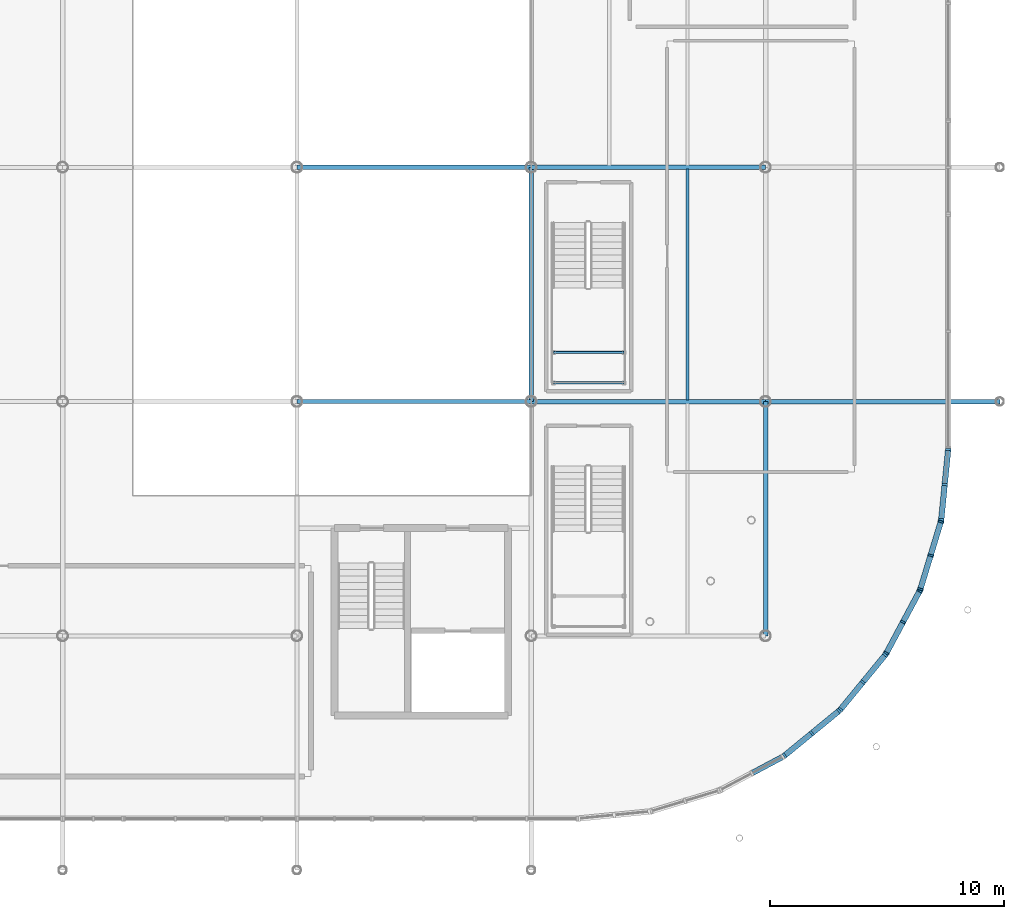
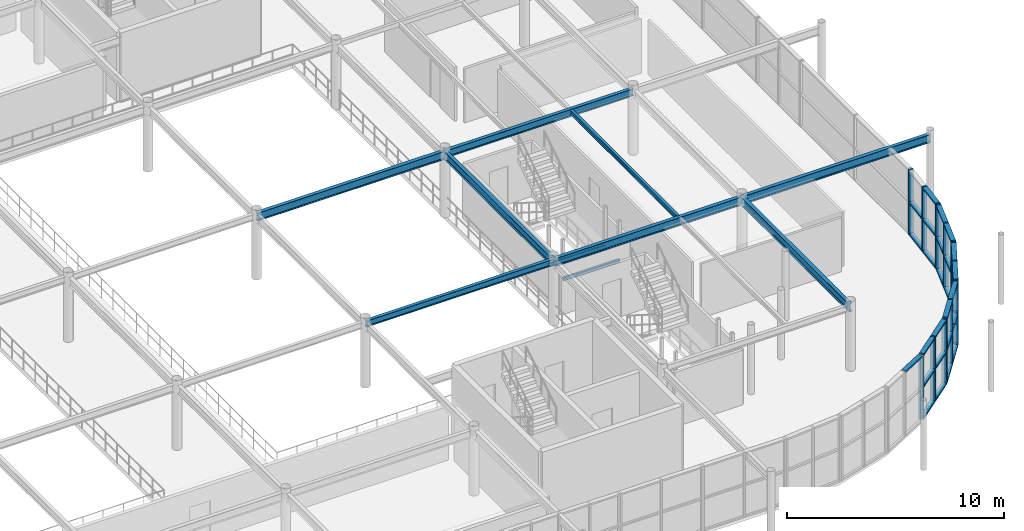
# One storey, part 59 of 98: 45 members, 10 beams, 6 elements without a shape of their own.
"""IFC4 building model written with IfcOpenShell, lengths in metres."""

from ifc_helpers import new_model, si_unit, derived_unit, direction, frame, origin, origin_2d_with_axis, place, context, subcontext, project, spatial, rectangle, hollow_rectangle, i_section, extrude, material, material_profile, profile_set, type_object, element, aggregate, save


model = new_model("IFC4")

# Units and contexts
model_context = context("Model", 3, precision=1e-05, world=origin(), true_north=direction((0.0, 1.0)))
body_context = subcontext(model_context, "Body", "Model", "MODEL_VIEW")
ifc_project = project(units=[si_unit("LENGTHUNIT", "METRE"), si_unit("AREAUNIT", "SQUARE_METRE"), si_unit("VOLUMEUNIT", "CUBIC_METRE"), si_unit("PLANEANGLEUNIT", "RADIAN"), si_unit("MASSUNIT", "GRAM", prefix="KILO"), derived_unit("THERMALTRANSMITTANCEUNIT", [(si_unit("POWERUNIT", "WATT"), 1), (si_unit("LENGTHUNIT", "METRE"), -2), (si_unit("THERMODYNAMICTEMPERATUREUNIT", "KELVIN"), -1)])], contexts=[model_context])

# Site, building, storey
site_placement = place(None, origin())
site = spatial("IfcSite", under=ifc_project, at=site_placement, CompositionType="ELEMENT")
building_placement = place(site_placement, origin())
building = spatial("IfcBuilding", under=site, at=building_placement, Name="Cinnabar Yard Market Hall", CompositionType="ELEMENT")
storey_placement = place(building_placement, frame((0.0, 0.0, 4.5)))
storey = spatial("IfcBuildingStorey", under=building, at=storey_placement, Name="L01", CompositionType="ELEMENT", Elevation=4.5)

# Beams
ifc_material_1 = material(Name="Steel Grade 300 (300 MPa)", Category="steel")
ifc_material_profile_1 = material_profile(ifc_material_1, i_section(OverallWidth=0.18994140625, OverallDepth=0.453857421875, WebThickness=0.008544921875, FlangeThickness=0.0126953125, FilletRadius=0.011474609375, at=origin_2d_with_axis()), Name="460UB67.1")
ifc_profile_set_1 = profile_set([ifc_material_profile_1], Name="Steel Grade 300 (300 MPa)")
beam_type_1 = type_object("IfcBeamType", Name="BM-B05", PredefinedType="BEAM", material=ifc_profile_set_1)
for number, where, z_axis, x_axis, name in (
    (1, (146.0, 34.0, 3.423095703125), (0.0, 1.0, 0.0), (-1.0, 0.0, 0.0), "L01 Gallery Girder Y 00344"),
    (2, (156.0, 24.0, 3.423095703125), (0.0, 1.0, 0.0), (-1.0, 0.0, 0.0), "L01 Gallery Girder Y 00352"),
):
    element("IfcBeam", number, at=place(storey_placement, frame(where, z_axis=z_axis, x_axis=x_axis)), inside=storey, type_object=beam_type_1, Name=name, PredefinedType="BEAM", context=body_context, shape_type="SweptSolid", body=[
        extrude(i_section(OverallWidth=0.18994140625, OverallDepth=0.453857421875, WebThickness=0.008544921875, FlangeThickness=0.0126953125, FilletRadius=0.011474609375, at=origin_2d_with_axis()), origin(), (0.0, 0.0, 1.0), 10.0),
    ])
ifc_material_profile_2 = material_profile(ifc_material_1, i_section(OverallWidth=0.18994140625, OverallDepth=0.453857421875, WebThickness=0.008544921875, FlangeThickness=0.0126953125, FilletRadius=0.011474609375, at=origin_2d_with_axis()), Name="460UB67.1")
ifc_profile_set_2 = profile_set([ifc_material_profile_2], Name="Steel Grade 300 (300 MPa)")
beam_type_2 = type_object("IfcBeamType", Name="BM-B05E", PredefinedType="BEAM", material=ifc_profile_set_2)
beam_1_placement = place(storey_placement, frame((156.0, 34.0, 3.423095703125), z_axis=(1.0, 0.0, 0.0), x_axis=(0.0, 1.0, 0.0)))
element("IfcBeam", 3, at=beam_1_placement, inside=storey, type_object=beam_type_2, Name="L01 Gallery East Tie 00302", PredefinedType="BEAM", context=body_context, shape_type="SweptSolid", body=[
    extrude(i_section(OverallWidth=0.18994140625, OverallDepth=0.453857421875, WebThickness=0.008544921875, FlangeThickness=0.0126953125, FilletRadius=0.011474609375, at=origin_2d_with_axis()), origin(), (0.0, 0.0, 1.0), 10.0),
])
ifc_material_profile_3 = material_profile(ifc_material_1, i_section(OverallWidth=0.1708984375, OverallDepth=0.35205078125, WebThickness=0.0068359375, FlangeThickness=0.009765625, FilletRadius=0.011474609375, at=origin_2d_with_axis()), Name="360UB44.7")
ifc_profile_set_3 = profile_set([ifc_material_profile_3], Name="Steel Grade 300 (300 MPa)")
beam_type_3 = type_object("IfcBeamType", Name="BM-B11", PredefinedType="BEAM", material=ifc_profile_set_3)
beam_2_placement = place(storey_placement, frame((136.0, 34.0, 3.47412109375), z_axis=(1.0, 0.0, 0.0), x_axis=(0.0, 1.0, 0.0)))
element("IfcBeam", 4, at=beam_2_placement, inside=storey, type_object=beam_type_3, Name="L01 Gallery Girder X 00279", PredefinedType="BEAM", context=body_context, shape_type="SweptSolid", body=[
    extrude(i_section(OverallWidth=0.1708984375, OverallDepth=0.35205078125, WebThickness=0.0068359375, FlangeThickness=0.009765625, FilletRadius=0.011474609375, at=origin_2d_with_axis()), origin(), (0.0, 0.0, 1.0), 10.0),
])
ifc_material_profile_4 = material_profile(ifc_material_1, i_section(OverallWidth=0.18994140625, OverallDepth=0.453857421875, WebThickness=0.008544921875, FlangeThickness=0.0126953125, FilletRadius=0.011474609375, at=origin_2d_with_axis()), Name="460UB67.1")
ifc_profile_set_4 = profile_set([ifc_material_profile_4], Name="Steel Grade 300 (300 MPa)")
beam_type_4 = type_object("IfcBeamType", Name="BM-B14", PredefinedType="BEAM", material=ifc_profile_set_4)
for number, where, z_axis, x_axis, name in (
    (5, (136.0, 44.0, 3.423095703125), (1.0, 0.0, 0.0), (0.0, 1.0, 0.0), "L01 Gallery Girder X 00280"),
    (6, (146.0, 34.0, 3.423095703125), (1.0, 0.0, 0.0), (0.0, 1.0, 0.0), "L01 Gallery Girder X 00283"),
):
    element("IfcBeam", number, at=place(storey_placement, frame(where, z_axis=z_axis, x_axis=x_axis)), inside=storey, type_object=beam_type_4, Name=name, PredefinedType="BEAM", context=body_context, shape_type="SweptSolid", body=[
        extrude(i_section(OverallWidth=0.18994140625, OverallDepth=0.453857421875, WebThickness=0.008544921875, FlangeThickness=0.0126953125, FilletRadius=0.011474609375, at=origin_2d_with_axis()), origin(), (0.0, 0.0, 1.0), 10.0),
    ])
ifc_material_profile_5 = material_profile(ifc_material_1, i_section(OverallWidth=0.177978515625, OverallDepth=0.402587890625, WebThickness=0.007568359375, FlangeThickness=0.010986328125, FilletRadius=0.011474609375, at=origin_2d_with_axis()), Name="410UB53.7")
ifc_profile_set_5 = profile_set([ifc_material_profile_5], Name="Steel Grade 300 (300 MPa)")
beam_type_5 = type_object("IfcBeamType", Name="BM-B15", PredefinedType="BEAM", material=ifc_profile_set_5)
beam_3_placement = place(storey_placement, frame((146.0, 44.0, 3.44873046875), z_axis=(1.0, 0.0, 0.0), x_axis=(0.0, 1.0, 0.0)))
element("IfcBeam", 7, at=beam_3_placement, inside=storey, type_object=beam_type_5, Name="L01 Gallery Girder X 00284", PredefinedType="BEAM", context=body_context, shape_type="SweptSolid", body=[
    extrude(i_section(OverallWidth=0.177978515625, OverallDepth=0.402587890625, WebThickness=0.007568359375, FlangeThickness=0.010986328125, FilletRadius=0.011474609375, at=origin_2d_with_axis()), origin(), (0.0, 0.0, 1.0), 10.0),
])
ifc_material_profile_6 = material_profile(ifc_material_1, i_section(OverallWidth=0.14599609375, OverallDepth=0.256103515625, WebThickness=0.00634765625, FlangeThickness=0.010986328125, FilletRadius=0.0087890625, at=origin_2d_with_axis()), Name="250UB37.3")
ifc_profile_set_6 = profile_set([ifc_material_profile_6], Name="Steel Grade 300 (300 MPa)")
beam_type_6 = type_object("IfcBeamType", Name="BM-J03", PredefinedType="JOIST", material=ifc_profile_set_6)
beam_4_placement = place(storey_placement, frame((152.669921875, 34.074951171875, 3.52197265625), z_axis=(0.0, 1.0, 0.0), x_axis=(-1.0, 0.0, 0.0)))
element("IfcBeam", 8, at=beam_4_placement, inside=storey, type_object=beam_type_6, Name="L01 Gallery Joist 00345", PredefinedType="JOIST", context=body_context, shape_type="SweptSolid", body=[
    extrude(i_section(OverallWidth=0.14599609375, OverallDepth=0.256103515625, WebThickness=0.00634765625, FlangeThickness=0.010986328125, FilletRadius=0.0087890625, at=origin_2d_with_axis()), origin(), (0.0, 0.0, 1.0), 9.85009765625),
])
ifc_material_2 = material(Name="Cold-formed steel C350L0", Category="steel")
ifc_material_profile_7 = material_profile(ifc_material_2, hollow_rectangle(XDim=0.10009765625, YDim=0.199951171875, WallThickness=0.006103515625, InnerFilletRadius=0.006103515625, OuterFilletRadius=0.011962890625, at=origin_2d_with_axis()), Name="200x100x6.0RHS")
ifc_profile_set_7 = profile_set([ifc_material_profile_7], Name="Cold-formed steel C350L0")
beam_type_7 = type_object("IfcBeamType", Name="BM-LN01", PredefinedType="LINTEL", material=ifc_profile_set_7)
for number, where, z_axis, x_axis, name in (
    (9, (146.949951171875, 34.800048828125, 1.64990234375), (1.0, 0.0, 0.0), (0.0, 1.0, 0.0), "Feature Stair Landing Beam S ST-F2 L01"),
    (10, (146.949951171875, 36.10009765625, 1.64990234375), (1.0, 0.0, 0.0), (0.0, 1.0, 0.0), "Feature Stair Landing Beam N ST-F2 L01"),
):
    element("IfcBeam", number, at=place(storey_placement, frame(where, z_axis=z_axis, x_axis=x_axis)), inside=storey, type_object=beam_type_7, Name=name, PredefinedType="LINTEL", context=body_context, shape_type="SweptSolid", body=[
        extrude(hollow_rectangle(XDim=0.10009765625, YDim=0.199951171875, WallThickness=0.006103515625, InnerFilletRadius=0.006103515625, OuterFilletRadius=0.011962890625, at=origin_2d_with_axis()), origin(), (0.0, 0.0, 1.0), 3.0),
    ])

# Curtain wall, members
ifc_material_3 = material(Name="Anodised bronze aluminium curved-chord facade", Category="aluminium")
curtain_wall_type = type_object("IfcCurtainWallType", Name="CW-CWC031x36", PredefinedType="NOTDEFINED", material=ifc_material_3)
curtain_wall_1_placement = place(storey_placement, origin())
curtain_wall_1 = element("IfcCurtainWall", 11, at=curtain_wall_1_placement, inside=storey, type_object=curtain_wall_type, Name="Corner SE Chord 4 L01", PredefinedType="NOTDEFINED")
ifc_material_4 = material(Name="Anodised bronze aluminium", Category="aluminium")
ifc_material_profile_8 = material_profile(ifc_material_4, rectangle(XDim=0.239990234375, YDim=0.090087890625, at=origin_2d_with_axis()), Name="MUL-CWC")
ifc_profile_set_8 = profile_set([ifc_material_profile_8], Name="Anodised bronze aluminium")
member_type_1 = type_object("IfcMemberType", Name="CWM-CWC", PredefinedType="MULLION", material=ifc_profile_set_8)
member_1_placement = place(storey_placement, frame((156.812744140625, 18.891357421875, 0.0), z_axis=(0.0, 0.0, 1.0), x_axis=(-0.634383400924, 0.773018564222, 0.0)))
member_1 = element("IfcMember", 12, at=member_1_placement, type_object=member_type_1, Name="CWC031x36 mullion 1", PredefinedType="MULLION", context=body_context, shape_type="SweptSolid", body=[
    extrude(rectangle(XDim=0.239990234375, YDim=0.090087890625, at=origin_2d_with_axis()), origin(), (0.0, 0.0, 1.0), 3.64990234375),
])
member_2_placement = place(storey_placement, frame((157.97509765625, 19.84521484375, 0.0), z_axis=(0.0, 0.0, 1.0), x_axis=(-0.634383400924, 0.773018564222, 0.0)))
member_2 = element("IfcMember", 13, at=member_2_placement, type_object=member_type_1, Name="CWC031x36 mullion 2", PredefinedType="MULLION", context=body_context, shape_type="SweptSolid", body=[
    extrude(rectangle(XDim=0.239990234375, YDim=0.090087890625, at=origin_2d_with_axis()), origin(), (0.0, 0.0, 1.0), 3.64990234375),
])
member_3_placement = place(storey_placement, frame((159.137451171875, 20.799072265625, 0.0), z_axis=(0.0, 0.0, 1.0), x_axis=(-0.634383400924, 0.773018564222, 0.0)))
member_3 = element("IfcMember", 14, at=member_3_placement, type_object=member_type_1, Name="CWC031x36 mullion 3", PredefinedType="MULLION", context=body_context, shape_type="SweptSolid", body=[
    extrude(rectangle(XDim=0.239990234375, YDim=0.090087890625, at=origin_2d_with_axis()), origin(), (0.0, 0.0, 1.0), 3.64990234375),
])

curtain_wall_2_placement = place(storey_placement, origin())
curtain_wall_2 = element("IfcCurtainWall", 15, at=curtain_wall_2_placement, inside=storey, type_object=curtain_wall_type, Name="Corner SE Chord 5 L01", PredefinedType="NOTDEFINED")
member_4_placement = place(storey_placement, frame((159.200927734375, 20.862548828125, 0.0), z_axis=(0.0, 0.0, 1.0), x_axis=(-0.773018564222, 0.634383400924, 0.0)))
member_4 = element("IfcMember", 16, at=member_4_placement, type_object=member_type_1, Name="CWC031x36 mullion 1", PredefinedType="MULLION", context=body_context, shape_type="SweptSolid", body=[
    extrude(rectangle(XDim=0.239990234375, YDim=0.090087890625, at=origin_2d_with_axis()), origin(), (0.0, 0.0, 1.0), 3.64990234375),
])
member_5_placement = place(storey_placement, frame((160.15478515625, 22.02490234375, 0.0), z_axis=(0.0, 0.0, 1.0), x_axis=(-0.773018564222, 0.634383400924, 0.0)))
member_5 = element("IfcMember", 17, at=member_5_placement, type_object=member_type_1, Name="CWC031x36 mullion 2", PredefinedType="MULLION", context=body_context, shape_type="SweptSolid", body=[
    extrude(rectangle(XDim=0.239990234375, YDim=0.090087890625, at=origin_2d_with_axis()), origin(), (0.0, 0.0, 1.0), 3.64990234375),
])
member_6_placement = place(storey_placement, frame((161.108642578125, 23.187255859375, 0.0), z_axis=(0.0, 0.0, 1.0), x_axis=(-0.773018564222, 0.634383400924, 0.0)))
member_6 = element("IfcMember", 18, at=member_6_placement, type_object=member_type_1, Name="CWC031x36 mullion 3", PredefinedType="MULLION", context=body_context, shape_type="SweptSolid", body=[
    extrude(rectangle(XDim=0.239990234375, YDim=0.090087890625, at=origin_2d_with_axis()), origin(), (0.0, 0.0, 1.0), 3.64990234375),
])

curtain_wall_3_placement = place(storey_placement, origin())
curtain_wall_3 = element("IfcCurtainWall", 19, at=curtain_wall_3_placement, inside=storey, type_object=curtain_wall_type, Name="Corner SE Chord 6 L01", PredefinedType="NOTDEFINED")
member_7_placement = place(storey_placement, frame((161.158447265625, 23.26171875, 0.0), z_axis=(0.0, 0.0, 1.0), x_axis=(-0.881917320707, 0.471404114786, 0.0)))
member_7 = element("IfcMember", 20, at=member_7_placement, type_object=member_type_1, Name="CWC031x36 mullion 1", PredefinedType="MULLION", context=body_context, shape_type="SweptSolid", body=[
    extrude(rectangle(XDim=0.239990234375, YDim=0.090087890625, at=origin_2d_with_axis()), origin(), (0.0, 0.0, 1.0), 3.64990234375),
])
member_8_placement = place(storey_placement, frame((161.8671875, 24.587890625, 0.0), z_axis=(0.0, 0.0, 1.0), x_axis=(-0.881917320707, 0.471404114786, 0.0)))
member_8 = element("IfcMember", 21, at=member_8_placement, type_object=member_type_1, Name="CWC031x36 mullion 2", PredefinedType="MULLION", context=body_context, shape_type="SweptSolid", body=[
    extrude(rectangle(XDim=0.239990234375, YDim=0.090087890625, at=origin_2d_with_axis()), origin(), (0.0, 0.0, 1.0), 3.64990234375),
])
member_9_placement = place(storey_placement, frame((162.576171875, 25.913818359375, 0.0), z_axis=(0.0, 0.0, 1.0), x_axis=(-0.881917320707, 0.471404114786, 0.0)))
member_9 = element("IfcMember", 22, at=member_9_placement, type_object=member_type_1, Name="CWC031x36 mullion 3", PredefinedType="MULLION", context=body_context, shape_type="SweptSolid", body=[
    extrude(rectangle(XDim=0.239990234375, YDim=0.090087890625, at=origin_2d_with_axis()), origin(), (0.0, 0.0, 1.0), 3.64990234375),
])

curtain_wall_4_placement = place(storey_placement, origin())
curtain_wall_4 = element("IfcCurtainWall", 23, at=curtain_wall_4_placement, inside=storey, type_object=curtain_wall_type, Name="Corner SE Chord 7 L01", PredefinedType="NOTDEFINED")
member_10_placement = place(storey_placement, frame((162.6103515625, 25.99658203125, 0.0), z_axis=(0.0, 0.0, 1.0), x_axis=(-0.956942090856, 0.290278891325, 0.0)))
member_10 = element("IfcMember", 24, at=member_10_placement, type_object=member_type_1, Name="CWC031x36 mullion 1", PredefinedType="MULLION", context=body_context, shape_type="SweptSolid", body=[
    extrude(rectangle(XDim=0.239990234375, YDim=0.090087890625, at=origin_2d_with_axis()), origin(), (0.0, 0.0, 1.0), 3.64990234375),
])
member_11_placement = place(storey_placement, frame((163.046875, 27.435546875, 0.0), z_axis=(0.0, 0.0, 1.0), x_axis=(-0.956942090856, 0.290278891325, 0.0)))
member_11 = element("IfcMember", 25, at=member_11_placement, type_object=member_type_1, Name="CWC031x36 mullion 2", PredefinedType="MULLION", context=body_context, shape_type="SweptSolid", body=[
    extrude(rectangle(XDim=0.239990234375, YDim=0.090087890625, at=origin_2d_with_axis()), origin(), (0.0, 0.0, 1.0), 3.64990234375),
])
member_12_placement = place(storey_placement, frame((163.4833984375, 28.87451171875, 0.0), z_axis=(0.0, 0.0, 1.0), x_axis=(-0.956942090856, 0.290278891325, 0.0)))
member_12 = element("IfcMember", 26, at=member_12_placement, type_object=member_type_1, Name="CWC031x36 mullion 3", PredefinedType="MULLION", context=body_context, shape_type="SweptSolid", body=[
    extrude(rectangle(XDim=0.239990234375, YDim=0.090087890625, at=origin_2d_with_axis()), origin(), (0.0, 0.0, 1.0), 3.64990234375),
])

curtain_wall_5_placement = place(storey_placement, origin())
curtain_wall_5 = element("IfcCurtainWall", 27, at=curtain_wall_5_placement, inside=storey, type_object=curtain_wall_type, Name="Corner SE Chord 8 L01", PredefinedType="NOTDEFINED")
member_13_placement = place(storey_placement, frame((163.500732421875, 28.96240234375, 0.0), z_axis=(0.0, 0.0, 1.0), x_axis=(-0.995184408637, 0.098020369342, 0.0)))
member_13 = element("IfcMember", 28, at=member_13_placement, type_object=member_type_1, Name="CWC031x36 mullion 1", PredefinedType="MULLION", context=body_context, shape_type="SweptSolid", body=[
    extrude(rectangle(XDim=0.239990234375, YDim=0.090087890625, at=origin_2d_with_axis()), origin(), (0.0, 0.0, 1.0), 3.64990234375),
])
member_14_placement = place(storey_placement, frame((163.648193359375, 30.458740234375, 0.0), z_axis=(0.0, 0.0, 1.0), x_axis=(-0.995184408637, 0.098020369342, 0.0)))
member_14 = element("IfcMember", 29, at=member_14_placement, type_object=member_type_1, Name="CWC031x36 mullion 2", PredefinedType="MULLION", context=body_context, shape_type="SweptSolid", body=[
    extrude(rectangle(XDim=0.239990234375, YDim=0.090087890625, at=origin_2d_with_axis()), origin(), (0.0, 0.0, 1.0), 3.64990234375),
])
member_15_placement = place(storey_placement, frame((163.795654296875, 31.955322265625, 0.0), z_axis=(0.0, 0.0, 1.0), x_axis=(-0.995184408637, 0.098020369342, 0.0)))
member_15 = element("IfcMember", 30, at=member_15_placement, type_object=member_type_1, Name="CWC031x36 mullion 3", PredefinedType="MULLION", context=body_context, shape_type="SweptSolid", body=[
    extrude(rectangle(XDim=0.239990234375, YDim=0.090087890625, at=origin_2d_with_axis()), origin(), (0.0, 0.0, 1.0), 3.64990234375),
])

# Curtain wall, member
curtain_wall_6_placement = place(storey_placement, origin())
curtain_wall_6 = element("IfcCurtainWall", 31, at=curtain_wall_6_placement, inside=storey, type_object=curtain_wall_type, Name="Corner SE Chord 3 L01", PredefinedType="NOTDEFINED")
ifc_material_profile_9 = material_profile(ifc_material_4, rectangle(XDim=0.239990234375, YDim=0.090087890625, at=origin_2d_with_axis()), Name="TRN-CWC")
ifc_profile_set_9 = profile_set([ifc_material_profile_9], Name="Anodised bronze aluminium")
member_type_2 = type_object("IfcMemberType", Name="CWT-CWC", PredefinedType="USERDEFINED", material=ifc_profile_set_9)
member_16_placement = place(storey_placement, frame((155.451904296875, 18.154052734375, 3.60498046875), z_axis=(0.881974989496, 0.471296210365, 0.0), x_axis=(-0.471296210365, 0.881974989496, 0.0)))
member_16 = element("IfcMember", 32, at=member_16_placement, type_object=member_type_2, Name="CWC031x36 transom 2.3", ObjectType="TRANSOM", PredefinedType="USERDEFINED", context=body_context, shape_type="SweptSolid", body=[
    extrude(rectangle(XDim=0.239990234375, YDim=0.090087890625, at=origin_2d_with_axis()), origin(), (0.0, 0.0, 1.0), 1.41357421875),
])
aggregate(curtain_wall_6, [member_16])

# Member
member_17_placement = place(storey_placement, frame((156.84765625, 18.919921875, 0.044921875), z_axis=(0.773040795861, 0.634356309919, 0.0), x_axis=(-0.634356309919, 0.773040795861, 0.0)))
member_17 = element("IfcMember", 33, at=member_17_placement, type_object=member_type_2, Name="CWC031x36 transom 1.1", ObjectType="TRANSOM", PredefinedType="USERDEFINED", context=body_context, shape_type="SweptSolid", body=[
    extrude(rectangle(XDim=0.239990234375, YDim=0.090087890625, at=origin_2d_with_axis()), origin(), (0.0, 0.0, 1.0), 1.41357421875),
])

member_18_placement = place(storey_placement, frame((156.84765625, 18.919921875, 1.824951171875), z_axis=(0.773040795861, 0.634356309919, 0.0), x_axis=(-0.634356309919, 0.773040795861, 0.0)))
member_18 = element("IfcMember", 34, at=member_18_placement, type_object=member_type_2, Name="CWC031x36 transom 1.2", ObjectType="TRANSOM", PredefinedType="USERDEFINED", context=body_context, shape_type="SweptSolid", body=[
    extrude(rectangle(XDim=0.239990234375, YDim=0.090087890625, at=origin_2d_with_axis()), origin(), (0.0, 0.0, 1.0), 1.41357421875),
])

member_19_placement = place(storey_placement, frame((156.84765625, 18.919921875, 3.60498046875), z_axis=(0.773040795861, 0.634356309919, 0.0), x_axis=(-0.634356309919, 0.773040795861, 0.0)))
member_19 = element("IfcMember", 35, at=member_19_placement, type_object=member_type_2, Name="CWC031x36 transom 1.3", ObjectType="TRANSOM", PredefinedType="USERDEFINED", context=body_context, shape_type="SweptSolid", body=[
    extrude(rectangle(XDim=0.239990234375, YDim=0.090087890625, at=origin_2d_with_axis()), origin(), (0.0, 0.0, 1.0), 1.41357421875),
])

member_20_placement = place(storey_placement, frame((158.010009765625, 19.873779296875, 0.044921875), z_axis=(0.773040795861, 0.634356309919, 0.0), x_axis=(-0.634356309919, 0.773040795861, 0.0)))
member_20 = element("IfcMember", 36, at=member_20_placement, type_object=member_type_2, Name="CWC031x36 transom 2.1", ObjectType="TRANSOM", PredefinedType="USERDEFINED", context=body_context, shape_type="SweptSolid", body=[
    extrude(rectangle(XDim=0.239990234375, YDim=0.090087890625, at=origin_2d_with_axis()), origin(), (0.0, 0.0, 1.0), 1.41357421875),
])

member_21_placement = place(storey_placement, frame((158.010009765625, 19.873779296875, 1.824951171875), z_axis=(0.773040795861, 0.634356309919, 0.0), x_axis=(-0.634356309919, 0.773040795861, 0.0)))
member_21 = element("IfcMember", 37, at=member_21_placement, type_object=member_type_2, Name="CWC031x36 transom 2.2", ObjectType="TRANSOM", PredefinedType="USERDEFINED", context=body_context, shape_type="SweptSolid", body=[
    extrude(rectangle(XDim=0.239990234375, YDim=0.090087890625, at=origin_2d_with_axis()), origin(), (0.0, 0.0, 1.0), 1.41357421875),
])

member_22_placement = place(storey_placement, frame((158.010009765625, 19.873779296875, 3.60498046875), z_axis=(0.773040795861, 0.634356309919, 0.0), x_axis=(-0.634356309919, 0.773040795861, 0.0)))
member_22 = element("IfcMember", 38, at=member_22_placement, type_object=member_type_2, Name="CWC031x36 transom 2.3", ObjectType="TRANSOM", PredefinedType="USERDEFINED", context=body_context, shape_type="SweptSolid", body=[
    extrude(rectangle(XDim=0.239990234375, YDim=0.090087890625, at=origin_2d_with_axis()), origin(), (0.0, 0.0, 1.0), 1.41357421875),
])

aggregate(curtain_wall_1, [member_1, member_2, member_3, member_17, member_18, member_19, member_20, member_21, member_22])

member_23_placement = place(storey_placement, frame((159.2294921875, 20.897216796875, 0.044921875), z_axis=(0.634356309919, 0.773040795861, 0.0), x_axis=(-0.773040795861, 0.634356309919, 0.0)))
member_23 = element("IfcMember", 39, at=member_23_placement, type_object=member_type_2, Name="CWC031x36 transom 1.1", ObjectType="TRANSOM", PredefinedType="USERDEFINED", context=body_context, shape_type="SweptSolid", body=[
    extrude(rectangle(XDim=0.239990234375, YDim=0.090087890625, at=origin_2d_with_axis()), origin(), (0.0, 0.0, 1.0), 1.41357421875),
])

member_24_placement = place(storey_placement, frame((159.2294921875, 20.897216796875, 1.824951171875), z_axis=(0.634356309919, 0.773040795861, 0.0), x_axis=(-0.773040795861, 0.634356309919, 0.0)))
member_24 = element("IfcMember", 40, at=member_24_placement, type_object=member_type_2, Name="CWC031x36 transom 1.2", ObjectType="TRANSOM", PredefinedType="USERDEFINED", context=body_context, shape_type="SweptSolid", body=[
    extrude(rectangle(XDim=0.239990234375, YDim=0.090087890625, at=origin_2d_with_axis()), origin(), (0.0, 0.0, 1.0), 1.41357421875),
])

member_25_placement = place(storey_placement, frame((159.2294921875, 20.897216796875, 3.60498046875), z_axis=(0.634356309919, 0.773040795861, 0.0), x_axis=(-0.773040795861, 0.634356309919, 0.0)))
member_25 = element("IfcMember", 41, at=member_25_placement, type_object=member_type_2, Name="CWC031x36 transom 1.3", ObjectType="TRANSOM", PredefinedType="USERDEFINED", context=body_context, shape_type="SweptSolid", body=[
    extrude(rectangle(XDim=0.239990234375, YDim=0.090087890625, at=origin_2d_with_axis()), origin(), (0.0, 0.0, 1.0), 1.41357421875),
])

member_26_placement = place(storey_placement, frame((160.183349609375, 22.0595703125, 0.044921875), z_axis=(0.634356309919, 0.773040795861, 0.0), x_axis=(-0.773040795861, 0.634356309919, 0.0)))
member_26 = element("IfcMember", 42, at=member_26_placement, type_object=member_type_2, Name="CWC031x36 transom 2.1", ObjectType="TRANSOM", PredefinedType="USERDEFINED", context=body_context, shape_type="SweptSolid", body=[
    extrude(rectangle(XDim=0.239990234375, YDim=0.090087890625, at=origin_2d_with_axis()), origin(), (0.0, 0.0, 1.0), 1.41357421875),
])

member_27_placement = place(storey_placement, frame((160.183349609375, 22.0595703125, 1.824951171875), z_axis=(0.634356309919, 0.773040795861, 0.0), x_axis=(-0.773040795861, 0.634356309919, 0.0)))
member_27 = element("IfcMember", 43, at=member_27_placement, type_object=member_type_2, Name="CWC031x36 transom 2.2", ObjectType="TRANSOM", PredefinedType="USERDEFINED", context=body_context, shape_type="SweptSolid", body=[
    extrude(rectangle(XDim=0.239990234375, YDim=0.090087890625, at=origin_2d_with_axis()), origin(), (0.0, 0.0, 1.0), 1.41357421875),
])

member_28_placement = place(storey_placement, frame((160.183349609375, 22.0595703125, 3.60498046875), z_axis=(0.634356309919, 0.773040795861, 0.0), x_axis=(-0.773040795861, 0.634356309919, 0.0)))
member_28 = element("IfcMember", 44, at=member_28_placement, type_object=member_type_2, Name="CWC031x36 transom 2.3", ObjectType="TRANSOM", PredefinedType="USERDEFINED", context=body_context, shape_type="SweptSolid", body=[
    extrude(rectangle(XDim=0.239990234375, YDim=0.090087890625, at=origin_2d_with_axis()), origin(), (0.0, 0.0, 1.0), 1.41357421875),
])

aggregate(curtain_wall_2, [member_4, member_5, member_6, member_23, member_24, member_25, member_26, member_27, member_28])

member_29_placement = place(storey_placement, frame((161.1796875, 23.30126953125, 0.044921875), z_axis=(0.471296210365, 0.881974989496, 0.0), x_axis=(-0.881974989496, 0.471296210365, 0.0)))
member_29 = element("IfcMember", 45, at=member_29_placement, type_object=member_type_2, Name="CWC031x36 transom 1.1", ObjectType="TRANSOM", PredefinedType="USERDEFINED", context=body_context, shape_type="SweptSolid", body=[
    extrude(rectangle(XDim=0.239990234375, YDim=0.090087890625, at=origin_2d_with_axis()), origin(), (0.0, 0.0, 1.0), 1.41357421875),
])

member_30_placement = place(storey_placement, frame((161.1796875, 23.30126953125, 1.824951171875), z_axis=(0.471296210365, 0.881974989496, 0.0), x_axis=(-0.881974989496, 0.471296210365, 0.0)))
member_30 = element("IfcMember", 46, at=member_30_placement, type_object=member_type_2, Name="CWC031x36 transom 1.2", ObjectType="TRANSOM", PredefinedType="USERDEFINED", context=body_context, shape_type="SweptSolid", body=[
    extrude(rectangle(XDim=0.239990234375, YDim=0.090087890625, at=origin_2d_with_axis()), origin(), (0.0, 0.0, 1.0), 1.41357421875),
])

member_31_placement = place(storey_placement, frame((161.1796875, 23.30126953125, 3.60498046875), z_axis=(0.471296210365, 0.881974989496, 0.0), x_axis=(-0.881974989496, 0.471296210365, 0.0)))
member_31 = element("IfcMember", 47, at=member_31_placement, type_object=member_type_2, Name="CWC031x36 transom 1.3", ObjectType="TRANSOM", PredefinedType="USERDEFINED", context=body_context, shape_type="SweptSolid", body=[
    extrude(rectangle(XDim=0.239990234375, YDim=0.090087890625, at=origin_2d_with_axis()), origin(), (0.0, 0.0, 1.0), 1.41357421875),
])

member_32_placement = place(storey_placement, frame((161.888427734375, 24.62744140625, 0.044921875), z_axis=(0.471430533224, 0.881903198965, 0.0), x_axis=(-0.881903198965, 0.471430533224, 0.0)))
member_32 = element("IfcMember", 48, at=member_32_placement, type_object=member_type_2, Name="CWC031x36 transom 2.1", ObjectType="TRANSOM", PredefinedType="USERDEFINED", context=body_context, shape_type="SweptSolid", body=[
    extrude(rectangle(XDim=0.239990234375, YDim=0.090087890625, at=origin_2d_with_axis()), origin(), (0.0, 0.0, 1.0), 1.413818359375),
])

member_33_placement = place(storey_placement, frame((161.888427734375, 24.62744140625, 1.824951171875), z_axis=(0.471430533224, 0.881903198965, 0.0), x_axis=(-0.881903198965, 0.471430533224, 0.0)))
member_33 = element("IfcMember", 49, at=member_33_placement, type_object=member_type_2, Name="CWC031x36 transom 2.2", ObjectType="TRANSOM", PredefinedType="USERDEFINED", context=body_context, shape_type="SweptSolid", body=[
    extrude(rectangle(XDim=0.239990234375, YDim=0.090087890625, at=origin_2d_with_axis()), origin(), (0.0, 0.0, 1.0), 1.413818359375),
])

member_34_placement = place(storey_placement, frame((161.888427734375, 24.62744140625, 3.60498046875), z_axis=(0.471430533224, 0.881903198965, 0.0), x_axis=(-0.881903198965, 0.471430533224, 0.0)))
member_34 = element("IfcMember", 50, at=member_34_placement, type_object=member_type_2, Name="CWC031x36 transom 2.3", ObjectType="TRANSOM", PredefinedType="USERDEFINED", context=body_context, shape_type="SweptSolid", body=[
    extrude(rectangle(XDim=0.239990234375, YDim=0.090087890625, at=origin_2d_with_axis()), origin(), (0.0, 0.0, 1.0), 1.413818359375),
])

aggregate(curtain_wall_3, [member_7, member_8, member_9, member_29, member_30, member_31, member_32, member_33, member_34])

member_35_placement = place(storey_placement, frame((162.62353515625, 26.039794921875, 0.044921875), z_axis=(0.290151195166, 0.956980816915, 0.0), x_axis=(-0.956980816915, 0.290151195166, 0.0)))
member_35 = element("IfcMember", 51, at=member_35_placement, type_object=member_type_2, Name="CWC031x36 transom 1.1", ObjectType="TRANSOM", PredefinedType="USERDEFINED", context=body_context, shape_type="SweptSolid", body=[
    extrude(rectangle(XDim=0.239990234375, YDim=0.090087890625, at=origin_2d_with_axis()), origin(), (0.0, 0.0, 1.0), 1.41357421875),
])

member_36_placement = place(storey_placement, frame((162.62353515625, 26.039794921875, 1.824951171875), z_axis=(0.290151195166, 0.956980816915, 0.0), x_axis=(-0.956980816915, 0.290151195166, 0.0)))
member_36 = element("IfcMember", 52, at=member_36_placement, type_object=member_type_2, Name="CWC031x36 transom 1.2", ObjectType="TRANSOM", PredefinedType="USERDEFINED", context=body_context, shape_type="SweptSolid", body=[
    extrude(rectangle(XDim=0.239990234375, YDim=0.090087890625, at=origin_2d_with_axis()), origin(), (0.0, 0.0, 1.0), 1.41357421875),
])

member_37_placement = place(storey_placement, frame((162.62353515625, 26.039794921875, 3.60498046875), z_axis=(0.290151195166, 0.956980816915, 0.0), x_axis=(-0.956980816915, 0.290151195166, 0.0)))
member_37 = element("IfcMember", 53, at=member_37_placement, type_object=member_type_2, Name="CWC031x36 transom 1.3", ObjectType="TRANSOM", PredefinedType="USERDEFINED", context=body_context, shape_type="SweptSolid", body=[
    extrude(rectangle(XDim=0.239990234375, YDim=0.090087890625, at=origin_2d_with_axis()), origin(), (0.0, 0.0, 1.0), 1.41357421875),
])

member_38_placement = place(storey_placement, frame((163.059814453125, 27.478759765625, 0.044921875), z_axis=(0.290309352341, 0.956932850279, 0.0), x_axis=(-0.956932850279, 0.290309352341, 0.0)))
member_38 = element("IfcMember", 54, at=member_38_placement, type_object=member_type_2, Name="CWC031x36 transom 2.1", ObjectType="TRANSOM", PredefinedType="USERDEFINED", context=body_context, shape_type="SweptSolid", body=[
    extrude(rectangle(XDim=0.239990234375, YDim=0.090087890625, at=origin_2d_with_axis()), origin(), (0.0, 0.0, 1.0), 1.41357421875),
])

member_39_placement = place(storey_placement, frame((163.059814453125, 27.478759765625, 1.824951171875), z_axis=(0.290309352341, 0.956932850279, 0.0), x_axis=(-0.956932850279, 0.290309352341, 0.0)))
member_39 = element("IfcMember", 55, at=member_39_placement, type_object=member_type_2, Name="CWC031x36 transom 2.2", ObjectType="TRANSOM", PredefinedType="USERDEFINED", context=body_context, shape_type="SweptSolid", body=[
    extrude(rectangle(XDim=0.239990234375, YDim=0.090087890625, at=origin_2d_with_axis()), origin(), (0.0, 0.0, 1.0), 1.41357421875),
])

member_40_placement = place(storey_placement, frame((163.059814453125, 27.478759765625, 3.60498046875), z_axis=(0.290309352341, 0.956932850279, 0.0), x_axis=(-0.956932850279, 0.290309352341, 0.0)))
member_40 = element("IfcMember", 56, at=member_40_placement, type_object=member_type_2, Name="CWC031x36 transom 2.3", ObjectType="TRANSOM", PredefinedType="USERDEFINED", context=body_context, shape_type="SweptSolid", body=[
    extrude(rectangle(XDim=0.239990234375, YDim=0.090087890625, at=origin_2d_with_axis()), origin(), (0.0, 0.0, 1.0), 1.41357421875),
])

aggregate(curtain_wall_4, [member_10, member_11, member_12, member_35, member_36, member_37, member_38, member_39, member_40])

member_41_placement = place(storey_placement, frame((163.505126953125, 29.007080078125, 0.044921875), z_axis=(0.098084531214, 0.995178086946, 0.0), x_axis=(-0.995178086946, 0.098084531214, 0.0)))
member_41 = element("IfcMember", 57, at=member_41_placement, type_object=member_type_2, Name="CWC031x36 transom 1.1", ObjectType="TRANSOM", PredefinedType="USERDEFINED", context=body_context, shape_type="SweptSolid", body=[
    extrude(rectangle(XDim=0.239990234375, YDim=0.090087890625, at=origin_2d_with_axis()), origin(), (0.0, 0.0, 1.0), 1.413818359375),
])

member_42_placement = place(storey_placement, frame((163.505126953125, 29.007080078125, 1.824951171875), z_axis=(0.098084531214, 0.995178086946, 0.0), x_axis=(-0.995178086946, 0.098084531214, 0.0)))
member_42 = element("IfcMember", 58, at=member_42_placement, type_object=member_type_2, Name="CWC031x36 transom 1.2", ObjectType="TRANSOM", PredefinedType="USERDEFINED", context=body_context, shape_type="SweptSolid", body=[
    extrude(rectangle(XDim=0.239990234375, YDim=0.090087890625, at=origin_2d_with_axis()), origin(), (0.0, 0.0, 1.0), 1.413818359375),
])

member_43_placement = place(storey_placement, frame((163.505126953125, 29.007080078125, 3.60498046875), z_axis=(0.098084531214, 0.995178086946, 0.0), x_axis=(-0.995178086946, 0.098084531214, 0.0)))
member_43 = element("IfcMember", 59, at=member_43_placement, type_object=member_type_2, Name="CWC031x36 transom 1.3", ObjectType="TRANSOM", PredefinedType="USERDEFINED", context=body_context, shape_type="SweptSolid", body=[
    extrude(rectangle(XDim=0.239990234375, YDim=0.090087890625, at=origin_2d_with_axis()), origin(), (0.0, 0.0, 1.0), 1.413818359375),
])

member_44_placement = place(storey_placement, frame((163.652587890625, 30.503662109375, 0.044921875), z_axis=(0.098101390058, 0.995176425197, 0.0), x_axis=(-0.995176425197, 0.098101390058, 0.0)))
member_44 = element("IfcMember", 60, at=member_44_placement, type_object=member_type_2, Name="CWC031x36 transom 2.1", ObjectType="TRANSOM", PredefinedType="USERDEFINED", context=body_context, shape_type="SweptSolid", body=[
    extrude(rectangle(XDim=0.239990234375, YDim=0.090087890625, at=origin_2d_with_axis()), origin(), (0.0, 0.0, 1.0), 1.41357421875),
])

member_45_placement = place(storey_placement, frame((163.652587890625, 30.503662109375, 1.824951171875), z_axis=(0.098101390058, 0.995176425197, 0.0), x_axis=(-0.995176425197, 0.098101390058, 0.0)))
member_45 = element("IfcMember", 61, at=member_45_placement, type_object=member_type_2, Name="CWC031x36 transom 2.2", ObjectType="TRANSOM", PredefinedType="USERDEFINED", context=body_context, shape_type="SweptSolid", body=[
    extrude(rectangle(XDim=0.239990234375, YDim=0.090087890625, at=origin_2d_with_axis()), origin(), (0.0, 0.0, 1.0), 1.41357421875),
])

aggregate(curtain_wall_5, [member_13, member_14, member_15, member_41, member_42, member_43, member_44, member_45])

save(model, "model.ifc")
